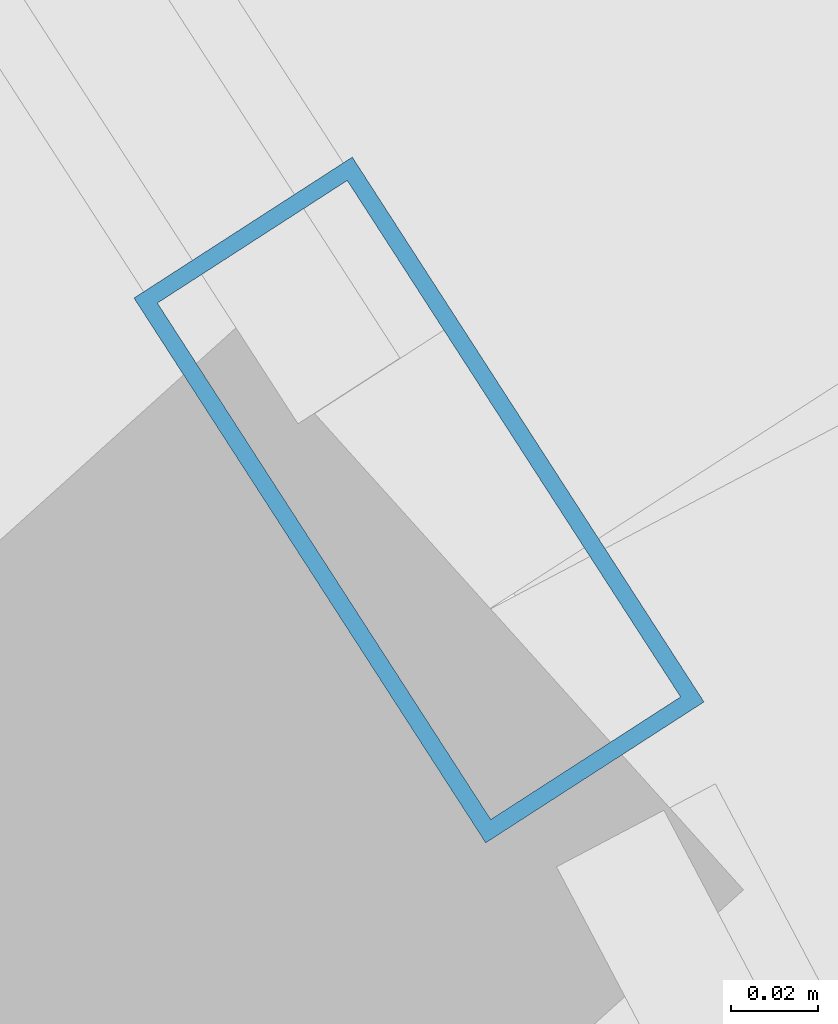
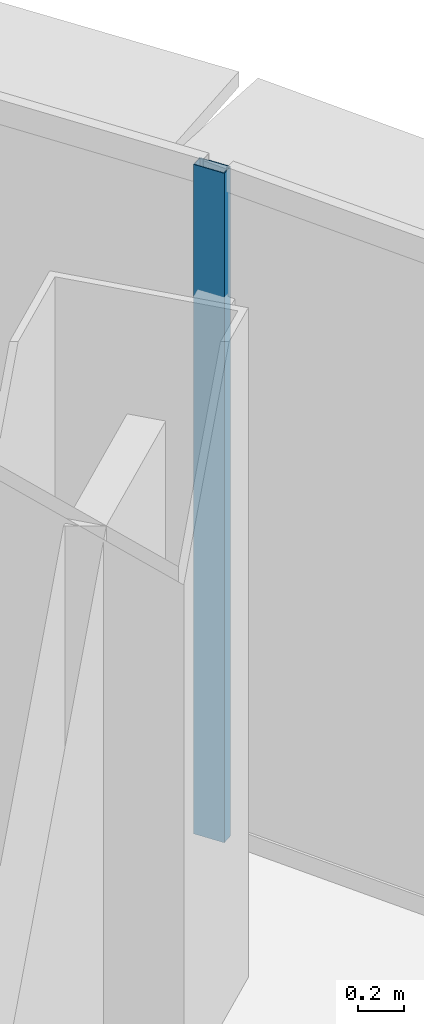
# One storey, part 20 of 36: 1 member, 1 element without a shape of its own.
"""IFC4 building model written with IfcOpenShell, lengths in metres."""

from ifc_helpers import new_model, si_unit, direction, frame, origin, origin_2d, place, context, subcontext, project, spatial, hollow_rectangle, extrude, source, transform, mapped, material, layer, layer_set, material_profile, profile_set, type_object, element, aggregate, save


model = new_model("IFC4")

# Units and contexts
model_context = context("Model", 3, precision=1e-05, world=origin(), true_north=direction((0.0, 1.0)))
body_context = subcontext(model_context, "Body", "Model", "MODEL_VIEW")
ifc_project = project(units=[si_unit("LENGTHUNIT", "METRE"), si_unit("AREAUNIT", "SQUARE_METRE"), si_unit("VOLUMEUNIT", "CUBIC_METRE"), si_unit("PLANEANGLEUNIT", "RADIAN"), si_unit("MASSUNIT", "GRAM", prefix="KILO"), si_unit("THERMODYNAMICTEMPERATUREUNIT", "KELVIN"), si_unit("POWERUNIT", "WATT")], contexts=[model_context])

# Site, building, storey
site_placement = place(None, origin())
site = spatial("IfcSite", under=ifc_project, at=site_placement, CompositionType="ELEMENT")
building_placement = place(site_placement, origin())
building = spatial("IfcBuilding", under=site, at=building_placement, Name="Yunzhuo Pagoda Commons", CompositionType="ELEMENT")
storey_placement = place(building_placement, frame((0.0, 0.0, 215.159912109375)))
storey = spatial("IfcBuildingStorey", under=building, at=storey_placement, Name="L54", CompositionType="ELEMENT", Elevation=215.159912109375)

# Curtain wall, member
ifc_material = material(Name="Anodized aluminium 6063-T6", Category="aluminium")
ifc_layer = layer(ifc_material, 0.14990234375)
ifc_layer_set = layer_set([ifc_layer], Name="Anodized aluminium 6063-T6")
curtain_wall_type = type_object("IfcCurtainWallType", Name="CW-MID Mid-Zone Ribbon Curtain Wall", PredefinedType="NOTDEFINED", material=ifc_layer_set)
curtain_wall_placement = place(storey_placement, origin())
curtain_wall = element("IfcCurtainWall", 1, at=curtain_wall_placement, inside=storey, type_object=curtain_wall_type, Name="L54 curtain wall CW-L54-F2B4", PredefinedType="NOTDEFINED")
ifc_material_profile = material_profile(ifc_material, hollow_rectangle(XDim=0.06005859375, YDim=0.14990234375, WallThickness=0.00390625, at=origin_2d()), Name="Anodized aluminium 6063-T6")
ifc_profile_set = profile_set([ifc_material_profile], Name="Anodized aluminium 6063-T6")
member_type = type_object("IfcMemberType", Name="CW-MID-M Mullion RHS 150x60x4", PredefinedType="MULLION", material=ifc_profile_set)
shared_shape = source(origin(), body_context, "Body", "SweptSolid", [
    extrude(hollow_rectangle(XDim=0.06005859375, YDim=0.14990234375, WallThickness=0.00390625, at=origin_2d()), origin(), (0.0, 0.0, 1.0), 3.52001953125),
])
member_placement = place(storey_placement, frame((71.685546875, 55.06640625, 0.0), z_axis=(0.0, 0.0, 1.0), x_axis=(-0.840138139518, -0.542372479508, 0.0)))
member = element("IfcMember", 2, at=member_placement, type_object=member_type, Name="CW mullion 1", PredefinedType="MULLION", context=body_context, shape_type="MappedRepresentation", body=[
    mapped(shared_shape, transform((0.0, 0.0, 0.0), scale=1.0)),
])
aggregate(curtain_wall, [member])

save(model, "model.ifc")
